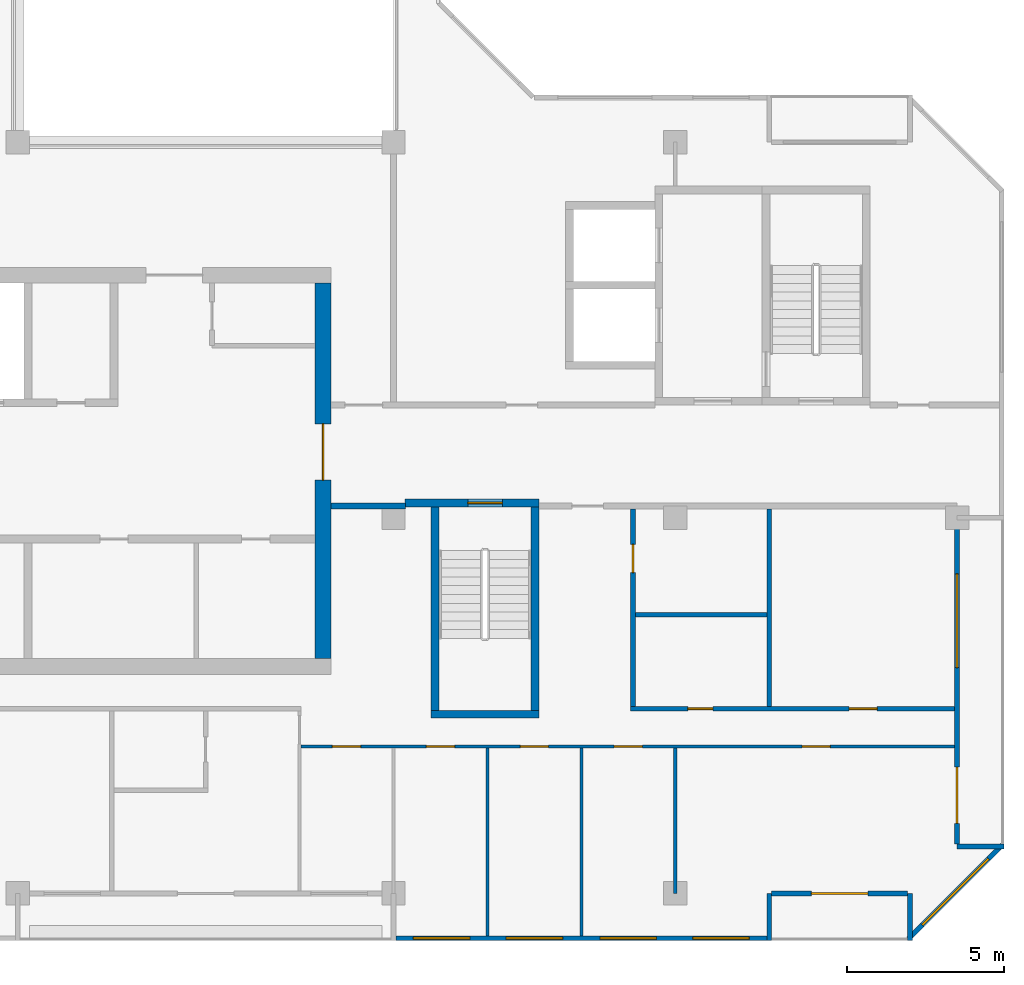
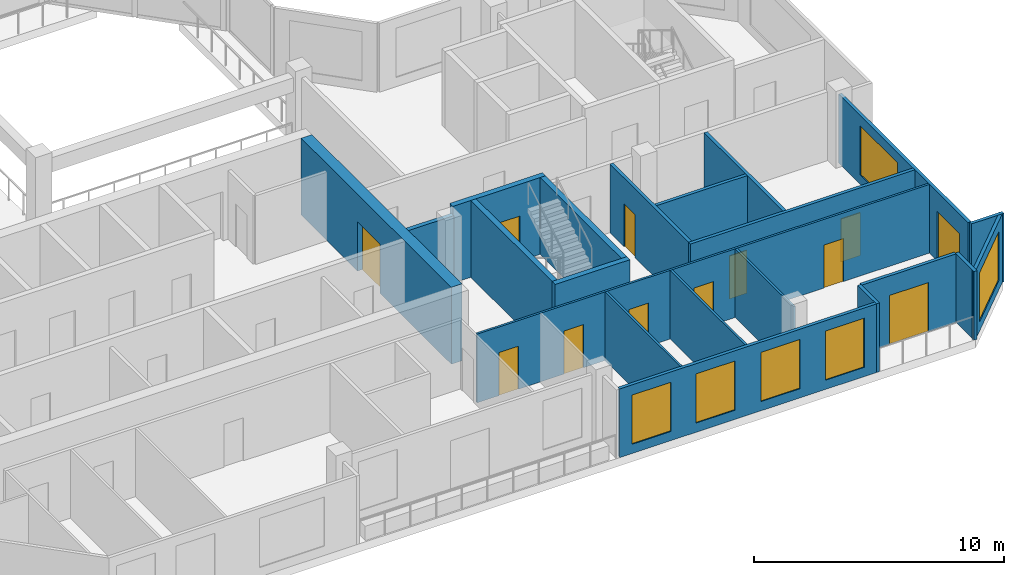
# One storey, part 6 of 12: 21 walls, 12 doors, 6 windows, 18 openings.
"""IFC4 building model written with IfcOpenShell, lengths in metres."""

from ifc_helpers import new_model, si_unit, direction, frame, frame_2d, origin, place, context, subcontext, project, spatial, rectangle, extrude, material, layer, layer_set, type_object, element, fill, save


model = new_model("IFC4")

# Units and contexts
model_context = context("Model", 3, precision=1e-05, world=origin(), true_north=direction((0.0, 1.0)))
body_context = subcontext(model_context, "Body", "Model", "MODEL_VIEW")
ifc_project = project(units=[si_unit("LENGTHUNIT", "METRE"), si_unit("AREAUNIT", "SQUARE_METRE"), si_unit("VOLUMEUNIT", "CUBIC_METRE"), si_unit("PLANEANGLEUNIT", "RADIAN"), si_unit("MASSUNIT", "GRAM", prefix="KILO")], contexts=[model_context])

# Site, building, storey
site_placement = place(None, origin())
site = spatial("IfcSite", under=ifc_project, at=site_placement, CompositionType="ELEMENT")
building_placement = place(site_placement, origin())
building = spatial("IfcBuilding", under=site, at=building_placement, Name="Chenar Terraces", CompositionType="ELEMENT")
storey_placement = place(building_placement, frame((0.0, 0.0, 357.64990234375)))
storey = spatial("IfcBuildingStorey", under=building, at=storey_placement, Name="L83", CompositionType="ELEMENT", Elevation=357.64990234375)

# Wall
ifc_material_1 = material(Name="Concrete C50/60", Category="concrete")
ifc_layer_1 = layer(ifc_material_1, 0.25)
ifc_layer_set_1 = layer_set([ifc_layer_1], Name="Concrete C50/60")
wall_type_1 = type_object("IfcWallType", Name="Core wall 250 Concrete C50/60", PredefinedType="SHEAR", material=ifc_layer_set_1)
wall_1_placement = place(storey_placement, frame((37.199951171875, 5.72509765625, 0.0), z_axis=(0.0, 0.0, 1.0), x_axis=(1.0, 0.0, 0.0)))
element("IfcWall", 1, at=wall_1_placement, inside=storey, type_object=wall_type_1, Name="Core wall ST2_S L83", PredefinedType="SHEAR", context=body_context, shape_type="SweptSolid", body=[
    extrude(rectangle(XDim=3.449951171875, YDim=0.25, at=frame_2d((1.72509765625, 0.0))), origin(), (0.0, 0.0, 1.0), 3.75),
])

# Wall, opening, door
wall_2_placement = place(storey_placement, frame((36.375, 12.47509765625, 0.0), z_axis=(0.0, 0.0, 1.0), x_axis=(1.0, 0.0, 0.0)))
wall_2 = element("IfcWall", 2, at=wall_2_placement, inside=storey, type_object=wall_type_1, Name="Core wall ST2_N L83", PredefinedType="SHEAR", context=body_context, shape_type="SweptSolid", body=[
    extrude(rectangle(XDim=4.27490234375, YDim=0.25, at=frame_2d((2.137451171875, 0.0))), origin(), (0.0, 0.0, 1.0), 3.75),
])
opening_1_placement = place(wall_2_placement, frame((2.0, 0.0, 0.0)))
opening_1 = element("IfcOpeningElement", 3, at=opening_1_placement, cuts=wall_2, Name="Opening DL83-C7", PredefinedType="OPENING", context=body_context, shape_type="SweptSolid", body=[
    extrude(rectangle(XDim=1.10009765625, YDim=2.199951171875, at=frame_2d((0.550048828125, 1.10009765625))), frame((0.0, 0.135009765625, 0.0), z_axis=(0.0, -1.0, 0.0), x_axis=(1.0, 0.0, 0.0)), (0.0, 0.0, 1.0), 0.27001953125),
])
ifc_material_2 = material(Name="Steel-framed fire-resisting door leaf", Category="steel")
door_type_1 = type_object("IfcDoorType", Name="Stair fire door FD60 1100 x 2200", OperationType="SINGLE_SWING_LEFT", PredefinedType="DOOR", material=ifc_material_2)
door_1_placement = place(opening_1_placement, frame((1.10009765625, 0.0, 0.0), z_axis=(0.0, 0.0, 1.0), x_axis=(-1.0, 0.0, 0.0)))
door_1 = element("IfcDoor", 4, at=door_1_placement, inside=storey, type_object=door_type_1, Name="Stair door DL83-C7", OperationType="SINGLE_SWING_LEFT", OverallHeight=2.199951171875, OverallWidth=1.10009765625, PredefinedType="DOOR", context=body_context, shape_type="SweptSolid", body=[
    extrude(rectangle(XDim=1.10009765625, YDim=2.199951171875, at=frame_2d((0.550048828125, 1.10009765625))), frame((0.0, 0.02490234375, 0.0), z_axis=(0.0, -1.0, 0.0), x_axis=(1.0, 0.0, 0.0)), (0.0, 0.0, 1.0), 0.050048828125),
])
fill(opening_1, door_1)

# Walls
for number, where, z_axis, x_axis, name in (
    (5, (37.324951171875, 5.85009765625, 0.0), (0.0, 0.0, 1.0), (0.0, 1.0, 0.0), "Core wall ST2_W L83"),
    (6, (40.52490234375, 5.85009765625, 0.0), (0.0, 0.0, 1.0), (0.0, 1.0, 0.0), "Core wall ST2_E L83"),
):
    element("IfcWall", number, at=place(storey_placement, frame(where, z_axis=z_axis, x_axis=x_axis)), inside=storey, type_object=wall_type_1, Name=name, PredefinedType="SHEAR", context=body_context, shape_type="SweptSolid", body=[
        extrude(rectangle(XDim=6.5, YDim=0.25, at=frame_2d((3.25, 0.0))), origin(), (0.0, 0.0, 1.0), 3.75),
    ])

# Wall, opening, door
ifc_material_3 = material(Name="Concrete C50/60", Category="concrete")
ifc_layer_2 = layer(ifc_material_3, 0.5)
ifc_layer_set_2 = layer_set([ifc_layer_2], Name="Concrete C50/60")
wall_type_2 = type_object("IfcWallType", Name="Core wall 500 Concrete C50/60", PredefinedType="SHEAR", material=ifc_layer_set_2)
wall_3_placement = place(storey_placement, frame((33.75, 7.5, 0.0), z_axis=(0.0, 0.0, 1.0), x_axis=(0.0, 1.0, 0.0)))
wall_3 = element("IfcWall", 7, at=wall_3_placement, inside=storey, type_object=wall_type_2, Name="Core wall E L83", PredefinedType="SHEAR", context=body_context, shape_type="SweptSolid", body=[
    extrude(rectangle(XDim=12.0, YDim=0.5, at=frame_2d((6.0, 0.0))), origin(), (0.0, 0.0, 1.0), 3.75),
])
opening_2_placement = place(wall_3_placement, frame((5.699951171875, 0.0, 0.0)))
opening_2 = element("IfcOpeningElement", 8, at=opening_2_placement, cuts=wall_3, Name="Opening DL83-C1", PredefinedType="OPENING", context=body_context, shape_type="SweptSolid", body=[
    extrude(rectangle(XDim=1.800048828125, YDim=2.39990234375, at=frame_2d((0.89990234375, 1.199951171875))), frame((0.0, 0.260009765625, 0.0), z_axis=(0.0, -1.0, 0.0), x_axis=(1.0, 0.0, 0.0)), (0.0, 0.0, 1.0), 0.52001953125),
])
ifc_material_4 = material(Name="Steel-framed fire-resisting door leaf", Category="steel")
door_type_2 = type_object("IfcDoorType", Name="Core entrance double fire door FD60 1800 x 2400", OperationType="DOUBLE_DOOR_SINGLE_SWING", PredefinedType="DOOR", material=ifc_material_4)
door_2_placement = place(opening_2_placement, origin())
door_2 = element("IfcDoor", 9, at=door_2_placement, inside=storey, type_object=door_type_2, Name="Core door DL83-C1", OperationType="DOUBLE_DOOR_SINGLE_SWING", OverallHeight=2.39990234375, OverallWidth=1.800048828125, PredefinedType="DOOR", context=body_context, shape_type="SweptSolid", body=[
    extrude(rectangle(XDim=1.800048828125, YDim=2.39990234375, at=frame_2d((0.89990234375, 1.199951171875))), frame((0.0, 0.02490234375, 0.0), z_axis=(0.0, -1.0, 0.0), x_axis=(1.0, 0.0, 0.0)), (0.0, 0.0, 1.0), 0.050048828125),
])
fill(opening_2, door_2)

# Wall
ifc_material_5 = material(Name="Gypsum board on steel studs with fire boards", Category="steel")
ifc_layer_3 = layer(ifc_material_5, 0.199951171875)
ifc_layer_set_3 = layer_set([ifc_layer_3], Name="Gypsum board on steel studs with fire boards")
wall_type_3 = type_object("IfcWallType", Name="Corridor wall 200", PredefinedType="PARTITIONING", material=ifc_layer_set_3)
wall_4_placement = place(storey_placement, frame((34.0, 12.375, 0.0), z_axis=(0.0, 0.0, 1.0), x_axis=(1.0, 0.0, 0.0)))
element("IfcWall", 10, at=wall_4_placement, inside=storey, type_object=wall_type_3, Name="Partition L83-052", PredefinedType="PARTITIONING", context=body_context, shape_type="SweptSolid", body=[
    extrude(rectangle(XDim=2.3759765625, YDim=0.199951171875, at=frame_2d((1.18798828125, 0.0))), origin(), (0.0, 0.0, 1.0), 3.35009765625),
])

# Wall, openings, windows
ifc_material_6 = material(Name="Aluminium framed glazing", Category="aluminium")
ifc_layer_4 = layer(ifc_material_6, 0.14990234375)
ifc_layer_set_4 = layer_set([ifc_layer_4], Name="Aluminium framed glazing")
wall_type_4 = type_object("IfcWallType", Name="Glazed flush facade wall 150", PredefinedType="SOLIDWALL", material=ifc_layer_set_4)
wall_5_placement = place(storey_placement, frame((36.074951171875, -1.425048828125, 0.0), z_axis=(0.0, 0.0, 1.0), x_axis=(1.0, 0.0, 0.0)))
wall_5 = element("IfcWall", 11, at=wall_5_placement, inside=storey, type_object=wall_type_4, Name="Glazed flush facade wall", PredefinedType="SOLIDWALL", context=body_context, shape_type="SweptSolid", body=[
    extrude(rectangle(XDim=11.85009765625, YDim=0.14990234375, at=frame_2d((5.925048828125, 0.0))), origin(), (0.0, 0.0, 1.0), 3.35009765625),
])
opening_3_placement = place(wall_5_placement, frame((0.5625, 0.0, 0.449951171875)))
opening_3 = element("IfcOpeningElement", 12, at=opening_3_placement, cuts=wall_5, Name="Opening W180x240", PredefinedType="OPENING", context=body_context, shape_type="SweptSolid", body=[
    extrude(rectangle(XDim=1.800048828125, YDim=2.39990234375, at=frame_2d((0.89990234375, 1.199951171875))), frame((0.0, 0.0849609375, 0.0), z_axis=(0.0, -1.0, 0.0), x_axis=(1.0, 0.0, 0.0)), (0.0, 0.0, 1.0), 0.169921875),
])
opening_4_placement = place(wall_5_placement, frame((3.52490234375, 0.0, 0.449951171875)))
opening_4 = element("IfcOpeningElement", 13, at=opening_4_placement, cuts=wall_5, Name="Opening W180x240", PredefinedType="OPENING", context=body_context, shape_type="SweptSolid", body=[
    extrude(rectangle(XDim=1.800048828125, YDim=2.39990234375, at=frame_2d((0.89990234375, 1.199951171875))), frame((0.0, 0.0849609375, 0.0), z_axis=(0.0, -1.0, 0.0), x_axis=(1.0, 0.0, 0.0)), (0.0, 0.0, 1.0), 0.169921875),
])
opening_5_placement = place(wall_5_placement, frame((6.52490234375, 0.0, 0.449951171875)))
opening_5 = element("IfcOpeningElement", 14, at=opening_5_placement, cuts=wall_5, Name="Opening W180x240", PredefinedType="OPENING", context=body_context, shape_type="SweptSolid", body=[
    extrude(rectangle(XDim=1.800048828125, YDim=2.39990234375, at=frame_2d((0.89990234375, 1.199951171875))), frame((0.0, 0.0849609375, 0.0), z_axis=(0.0, -1.0, 0.0), x_axis=(1.0, 0.0, 0.0)), (0.0, 0.0, 1.0), 0.169921875),
])
opening_6_placement = place(wall_5_placement, frame((9.487548828125, 0.0, 0.449951171875)))
opening_6 = element("IfcOpeningElement", 15, at=opening_6_placement, cuts=wall_5, Name="Opening W180x240", PredefinedType="OPENING", context=body_context, shape_type="SweptSolid", body=[
    extrude(rectangle(XDim=1.800048828125, YDim=2.39990234375, at=frame_2d((0.89990234375, 1.199951171875))), frame((0.0, 0.0849609375, 0.0), z_axis=(0.0, -1.0, 0.0), x_axis=(1.0, 0.0, 0.0)), (0.0, 0.0, 1.0), 0.169921875),
])
ifc_material_7 = material(Name="Low emissivity double glazing, aluminium frame", Category="aluminium")
window_type_1 = type_object("IfcWindowType", Name="Fixed light 1800 x 2400", PartitioningType="SINGLE_PANEL", PredefinedType="WINDOW", material=ifc_material_7)
window_1_placement = place(opening_3_placement, origin())
window_1 = element("IfcWindow", 16, at=window_1_placement, inside=storey, type_object=window_type_1, Name="Window", OverallHeight=2.39990234375, OverallWidth=1.800048828125, PartitioningType="SINGLE_PANEL", PredefinedType="WINDOW", context=body_context, shape_type="SweptSolid", body=[
    extrude(rectangle(XDim=1.800048828125, YDim=2.39990234375, at=frame_2d((0.89990234375, 1.199951171875))), frame((0.0, 0.030029296875, 0.0), z_axis=(0.0, -1.0, 0.0), x_axis=(1.0, 0.0, 0.0)), (0.0, 0.0, 1.0), 0.06005859375),
])
fill(opening_3, window_1)
window_2_placement = place(opening_4_placement, origin())
window_2 = element("IfcWindow", 17, at=window_2_placement, inside=storey, type_object=window_type_1, Name="Window", OverallHeight=2.39990234375, OverallWidth=1.800048828125, PartitioningType="SINGLE_PANEL", PredefinedType="WINDOW", context=body_context, shape_type="SweptSolid", body=[
    extrude(rectangle(XDim=1.800048828125, YDim=2.39990234375, at=frame_2d((0.89990234375, 1.199951171875))), frame((0.0, 0.030029296875, 0.0), z_axis=(0.0, -1.0, 0.0), x_axis=(1.0, 0.0, 0.0)), (0.0, 0.0, 1.0), 0.06005859375),
])
fill(opening_4, window_2)
window_3_placement = place(opening_5_placement, origin())
window_3 = element("IfcWindow", 18, at=window_3_placement, inside=storey, type_object=window_type_1, Name="Window", OverallHeight=2.39990234375, OverallWidth=1.800048828125, PartitioningType="SINGLE_PANEL", PredefinedType="WINDOW", context=body_context, shape_type="SweptSolid", body=[
    extrude(rectangle(XDim=1.800048828125, YDim=2.39990234375, at=frame_2d((0.89990234375, 1.199951171875))), frame((0.0, 0.030029296875, 0.0), z_axis=(0.0, -1.0, 0.0), x_axis=(1.0, 0.0, 0.0)), (0.0, 0.0, 1.0), 0.06005859375),
])
fill(opening_5, window_3)
window_4_placement = place(opening_6_placement, origin())
window_4 = element("IfcWindow", 19, at=window_4_placement, inside=storey, type_object=window_type_1, Name="Window", OverallHeight=2.39990234375, OverallWidth=1.800048828125, PartitioningType="SINGLE_PANEL", PredefinedType="WINDOW", context=body_context, shape_type="SweptSolid", body=[
    extrude(rectangle(XDim=1.800048828125, YDim=2.39990234375, at=frame_2d((0.89990234375, 1.199951171875))), frame((0.0, 0.030029296875, 0.0), z_axis=(0.0, -1.0, 0.0), x_axis=(1.0, 0.0, 0.0)), (0.0, 0.0, 1.0), 0.06005859375),
])
fill(opening_6, window_4)

# Wall, opening, door
ifc_material_8 = material(Name="Aluminium framed glazing", Category="aluminium")
ifc_layer_5 = layer(ifc_material_8, 0.14990234375)
ifc_layer_set_5 = layer_set([ifc_layer_5], Name="Aluminium framed glazing")
wall_type_5 = type_object("IfcWallType", Name="Glazed loggia back wall 150", PredefinedType="SOLIDWALL", material=ifc_layer_set_5)
wall_6_placement = place(storey_placement, frame((48.074951171875, 0.0, 0.0), z_axis=(0.0, 0.0, 1.0), x_axis=(1.0, 0.0, 0.0)))
wall_6 = element("IfcWall", 20, at=wall_6_placement, inside=storey, type_object=wall_type_5, Name="Glazed loggia back wall", PredefinedType="SOLIDWALL", context=body_context, shape_type="SweptSolid", body=[
    extrude(rectangle(XDim=4.35009765625, YDim=0.14990234375, at=frame_2d((2.175048828125, 0.0))), origin(), (0.0, 0.0, 1.0), 3.35009765625),
])
opening_7_placement = place(wall_6_placement, frame((1.27490234375, 0.0, 0.0)))
opening_7 = element("IfcOpeningElement", 21, at=opening_7_placement, cuts=wall_6, Name="Opening DL83-G5", PredefinedType="OPENING", context=body_context, shape_type="SweptSolid", body=[
    extrude(rectangle(XDim=1.800048828125, YDim=2.39990234375, at=frame_2d((0.89990234375, 1.199951171875))), frame((0.0, 0.0849609375, 0.0), z_axis=(0.0, -1.0, 0.0), x_axis=(1.0, 0.0, 0.0)), (0.0, 0.0, 1.0), 0.169921875),
])
ifc_material_9 = material(Name="Low emissivity double glazing, aluminium frame", Category="aluminium")
door_type_3 = type_object("IfcDoorType", Name="Loggia glazed double door 1800 x 2400", OperationType="DOUBLE_DOOR_SINGLE_SWING", PredefinedType="DOOR", material=ifc_material_9)
door_3_placement = place(opening_7_placement, frame((1.800048828125, 0.0, 0.0), z_axis=(0.0, 0.0, 1.0), x_axis=(-1.0, 0.0, 0.0)))
door_3 = element("IfcDoor", 22, at=door_3_placement, inside=storey, type_object=door_type_3, Name="Loggia glazed door", OperationType="DOUBLE_DOOR_SINGLE_SWING", OverallHeight=2.39990234375, OverallWidth=1.800048828125, PredefinedType="DOOR", context=body_context, shape_type="SweptSolid", body=[
    extrude(rectangle(XDim=1.800048828125, YDim=2.39990234375, at=frame_2d((0.89990234375, 1.199951171875))), frame((0.0, 0.02490234375, 0.0), z_axis=(0.0, -1.0, 0.0), x_axis=(1.0, 0.0, 0.0)), (0.0, 0.0, 1.0), 0.050048828125),
])
fill(opening_7, door_3)

# Wall, openings, window, door
wall_7_placement = place(storey_placement, frame((54.0, 1.574951171875, 0.0), z_axis=(0.0, 0.0, 1.0), x_axis=(0.0, 1.0, 0.0)))
wall_7 = element("IfcWall", 23, at=wall_7_placement, inside=storey, type_object=wall_type_5, Name="Glazed loggia back wall", PredefinedType="SOLIDWALL", context=body_context, shape_type="SweptSolid", body=[
    extrude(rectangle(XDim=10.35009765625, YDim=0.14990234375, at=frame_2d((5.175048828125, 0.0))), origin(), (0.0, 0.0, 1.0), 3.35009765625),
])
opening_8_placement = place(wall_7_placement, frame((0.66259765625, 0.0, 0.0)))
opening_8 = element("IfcOpeningElement", 24, at=opening_8_placement, cuts=wall_7, Name="Opening DL83-G6", PredefinedType="OPENING", context=body_context, shape_type="SweptSolid", body=[
    extrude(rectangle(XDim=1.800048828125, YDim=2.39990234375, at=frame_2d((0.89990234375, 1.199951171875))), frame((0.0, 0.0849609375, 0.0), z_axis=(0.0, -1.0, 0.0), x_axis=(1.0, 0.0, 0.0)), (0.0, 0.0, 1.0), 0.169921875),
])
opening_9_placement = place(wall_7_placement, frame((5.637451171875, 0.0, 0.449951171875)))
opening_9 = element("IfcOpeningElement", 25, at=opening_9_placement, cuts=wall_7, Name="Opening W300x240", PredefinedType="OPENING", context=body_context, shape_type="SweptSolid", body=[
    extrude(rectangle(XDim=3.0, YDim=2.39990234375, at=frame_2d((1.5, 1.199951171875))), frame((0.0, 0.0849609375, 0.0), z_axis=(0.0, -1.0, 0.0), x_axis=(1.0, 0.0, 0.0)), (0.0, 0.0, 1.0), 0.169921875),
])
ifc_material_10 = material(Name="Low emissivity double glazing, aluminium frame", Category="aluminium")
window_type_2 = type_object("IfcWindowType", Name="Fixed light 3000 x 2400", PartitioningType="SINGLE_PANEL", PredefinedType="WINDOW", material=ifc_material_10)
window_5_placement = place(opening_9_placement, origin())
window_5 = element("IfcWindow", 26, at=window_5_placement, inside=storey, type_object=window_type_2, Name="Window", OverallHeight=2.39990234375, OverallWidth=3.0, PartitioningType="SINGLE_PANEL", PredefinedType="WINDOW", context=body_context, shape_type="SweptSolid", body=[
    extrude(rectangle(XDim=3.0, YDim=2.39990234375, at=frame_2d((1.5, 1.199951171875))), frame((0.0, 0.030029296875, 0.0), z_axis=(0.0, -1.0, 0.0), x_axis=(1.0, 0.0, 0.0)), (0.0, 0.0, 1.0), 0.06005859375),
])
fill(opening_9, window_5)
door_4_placement = place(opening_8_placement, frame((1.800048828125, 0.0, 0.0), z_axis=(0.0, 0.0, 1.0), x_axis=(-1.0, 0.0, 0.0)))
door_4 = element("IfcDoor", 27, at=door_4_placement, inside=storey, type_object=door_type_3, Name="Loggia glazed door", OperationType="DOUBLE_DOOR_SINGLE_SWING", OverallHeight=2.39990234375, OverallWidth=1.800048828125, PredefinedType="DOOR", context=body_context, shape_type="SweptSolid", body=[
    extrude(rectangle(XDim=1.800048828125, YDim=2.39990234375, at=frame_2d((0.89990234375, 1.199951171875))), frame((0.0, 0.02490234375, 0.0), z_axis=(0.0, -1.0, 0.0), x_axis=(1.0, 0.0, 0.0)), (0.0, 0.0, 1.0), 0.050048828125),
])
fill(opening_8, door_4)

# Wall, openings, doors
ifc_material_11 = material(Name="Gypsum board on steel studs", Category="steel")
ifc_layer_6 = layer(ifc_material_11, 0.10009765625)
ifc_layer_set_6 = layer_set([ifc_layer_6], Name="Gypsum board on steel studs")
wall_type_6 = type_object("IfcWallType", Name="Gypsum partition 100", PredefinedType="PARTITIONING", material=ifc_layer_set_6)
wall_8_placement = place(storey_placement, frame((33.050048828125, 4.699951171875, 0.0), z_axis=(0.0, 0.0, 1.0), x_axis=(1.0, 0.0, 0.0)))
wall_8 = element("IfcWall", 28, at=wall_8_placement, inside=storey, type_object=wall_type_6, Name="Partition L83-051", PredefinedType="PARTITIONING", context=body_context, shape_type="SweptSolid", body=[
    extrude(rectangle(XDim=20.8759765625, YDim=0.10009765625, at=frame_2d((10.43798828125, 0.0))), origin(), (0.0, 0.0, 1.0), 3.35009765625),
])
opening_10_placement = place(wall_8_placement, frame((1.0, 0.0, 0.0)))
opening_10 = element("IfcOpeningElement", 29, at=opening_10_placement, cuts=wall_8, Name="Opening DL83-26", PredefinedType="OPENING", context=body_context, shape_type="SweptSolid", body=[
    extrude(rectangle(XDim=0.89990234375, YDim=2.10009765625, at=frame_2d((0.449951171875, 1.050048828125))), frame((0.0, 0.06005859375, 0.0), z_axis=(0.0, -1.0, 0.0), x_axis=(1.0, 0.0, 0.0)), (0.0, 0.0, 1.0), 0.1201171875),
])
opening_11_placement = place(wall_8_placement, frame((4.0, 0.0, 0.0)))
opening_11 = element("IfcOpeningElement", 30, at=opening_11_placement, cuts=wall_8, Name="Opening DL83-27", PredefinedType="OPENING", context=body_context, shape_type="SweptSolid", body=[
    extrude(rectangle(XDim=0.89990234375, YDim=2.10009765625, at=frame_2d((0.449951171875, 1.050048828125))), frame((0.0, 0.06005859375, 0.0), z_axis=(0.0, -1.0, 0.0), x_axis=(1.0, 0.0, 0.0)), (0.0, 0.0, 1.0), 0.1201171875),
])
opening_12_placement = place(wall_8_placement, frame((7.0, 0.0, 0.0)))
opening_12 = element("IfcOpeningElement", 31, at=opening_12_placement, cuts=wall_8, Name="Opening DL83-28", PredefinedType="OPENING", context=body_context, shape_type="SweptSolid", body=[
    extrude(rectangle(XDim=0.89990234375, YDim=2.10009765625, at=frame_2d((0.449951171875, 1.050048828125))), frame((0.0, 0.06005859375, 0.0), z_axis=(0.0, -1.0, 0.0), x_axis=(1.0, 0.0, 0.0)), (0.0, 0.0, 1.0), 0.1201171875),
])
opening_13_placement = place(wall_8_placement, frame((10.0, 0.0, 0.0)))
opening_13 = element("IfcOpeningElement", 32, at=opening_13_placement, cuts=wall_8, Name="Opening DL83-29", PredefinedType="OPENING", context=body_context, shape_type="SweptSolid", body=[
    extrude(rectangle(XDim=0.89990234375, YDim=2.10009765625, at=frame_2d((0.449951171875, 1.050048828125))), frame((0.0, 0.06005859375, 0.0), z_axis=(0.0, -1.0, 0.0), x_axis=(1.0, 0.0, 0.0)), (0.0, 0.0, 1.0), 0.1201171875),
])
opening_14_placement = place(wall_8_placement, frame((16.0, 0.0, 0.0)))
opening_14 = element("IfcOpeningElement", 33, at=opening_14_placement, cuts=wall_8, Name="Opening DL83-38", PredefinedType="OPENING", context=body_context, shape_type="SweptSolid", body=[
    extrude(rectangle(XDim=0.89990234375, YDim=2.10009765625, at=frame_2d((0.449951171875, 1.050048828125))), frame((0.0, 0.06005859375, 0.0), z_axis=(0.0, -1.0, 0.0), x_axis=(1.0, 0.0, 0.0)), (0.0, 0.0, 1.0), 0.1201171875),
])
ifc_material_12 = material(Name="Veneered timber door leaf", Category="wood")
door_type_4 = type_object("IfcDoorType", Name="Door 900 x 2100", OperationType="SINGLE_SWING_LEFT", PredefinedType="DOOR", material=ifc_material_12)
door_5_placement = place(opening_10_placement, frame((0.89990234375, 0.0, 0.0), z_axis=(0.0, 0.0, 1.0), x_axis=(-1.0, 0.0, 0.0)))
door_5 = element("IfcDoor", 34, at=door_5_placement, inside=storey, type_object=door_type_4, Name="Door DL83-26", OperationType="SINGLE_SWING_LEFT", OverallHeight=2.10009765625, OverallWidth=0.89990234375, PredefinedType="DOOR", context=body_context, shape_type="SweptSolid", body=[
    extrude(rectangle(XDim=0.89990234375, YDim=2.10009765625, at=frame_2d((0.449951171875, 1.050048828125))), frame((0.0, 0.02490234375, 0.0), z_axis=(0.0, -1.0, 0.0), x_axis=(1.0, 0.0, 0.0)), (0.0, 0.0, 1.0), 0.050048828125),
])
fill(opening_10, door_5)
door_6_placement = place(opening_11_placement, frame((0.89990234375, 0.0, 0.0), z_axis=(0.0, 0.0, 1.0), x_axis=(-1.0, 0.0, 0.0)))
door_6 = element("IfcDoor", 35, at=door_6_placement, inside=storey, type_object=door_type_4, Name="Door DL83-27", OperationType="SINGLE_SWING_LEFT", OverallHeight=2.10009765625, OverallWidth=0.89990234375, PredefinedType="DOOR", context=body_context, shape_type="SweptSolid", body=[
    extrude(rectangle(XDim=0.89990234375, YDim=2.10009765625, at=frame_2d((0.449951171875, 1.050048828125))), frame((0.0, 0.02490234375, 0.0), z_axis=(0.0, -1.0, 0.0), x_axis=(1.0, 0.0, 0.0)), (0.0, 0.0, 1.0), 0.050048828125),
])
fill(opening_11, door_6)
door_7_placement = place(opening_12_placement, frame((0.89990234375, 0.0, 0.0), z_axis=(0.0, 0.0, 1.0), x_axis=(-1.0, 0.0, 0.0)))
door_7 = element("IfcDoor", 36, at=door_7_placement, inside=storey, type_object=door_type_4, Name="Door DL83-28", OperationType="SINGLE_SWING_LEFT", OverallHeight=2.10009765625, OverallWidth=0.89990234375, PredefinedType="DOOR", context=body_context, shape_type="SweptSolid", body=[
    extrude(rectangle(XDim=0.89990234375, YDim=2.10009765625, at=frame_2d((0.449951171875, 1.050048828125))), frame((0.0, 0.02490234375, 0.0), z_axis=(0.0, -1.0, 0.0), x_axis=(1.0, 0.0, 0.0)), (0.0, 0.0, 1.0), 0.050048828125),
])
fill(opening_12, door_7)
door_8_placement = place(opening_13_placement, frame((0.89990234375, 0.0, 0.0), z_axis=(0.0, 0.0, 1.0), x_axis=(-1.0, 0.0, 0.0)))
door_8 = element("IfcDoor", 37, at=door_8_placement, inside=storey, type_object=door_type_4, Name="Door DL83-29", OperationType="SINGLE_SWING_LEFT", OverallHeight=2.10009765625, OverallWidth=0.89990234375, PredefinedType="DOOR", context=body_context, shape_type="SweptSolid", body=[
    extrude(rectangle(XDim=0.89990234375, YDim=2.10009765625, at=frame_2d((0.449951171875, 1.050048828125))), frame((0.0, 0.02490234375, 0.0), z_axis=(0.0, -1.0, 0.0), x_axis=(1.0, 0.0, 0.0)), (0.0, 0.0, 1.0), 0.050048828125),
])
fill(opening_13, door_8)
door_9_placement = place(opening_14_placement, frame((0.89990234375, 0.0, 0.0), z_axis=(0.0, 0.0, 1.0), x_axis=(-1.0, 0.0, 0.0)))
door_9 = element("IfcDoor", 38, at=door_9_placement, inside=storey, type_object=door_type_4, Name="Door DL83-38", OperationType="SINGLE_SWING_LEFT", OverallHeight=2.10009765625, OverallWidth=0.89990234375, PredefinedType="DOOR", context=body_context, shape_type="SweptSolid", body=[
    extrude(rectangle(XDim=0.89990234375, YDim=2.10009765625, at=frame_2d((0.449951171875, 1.050048828125))), frame((0.0, 0.02490234375, 0.0), z_axis=(0.0, -1.0, 0.0), x_axis=(1.0, 0.0, 0.0)), (0.0, 0.0, 1.0), 0.050048828125),
])
fill(opening_14, door_9)

# Walls
for number, where, z_axis, x_axis, name in (
    (39, (39.0, -1.35107421875, 0.0), (0.0, 0.0, 1.0), (0.0, 1.0, 0.0), "Partition L83-056"),
    (40, (42.0, -1.35107421875, 0.0), (0.0, 0.0, 1.0), (0.0, 1.0, 0.0), "Partition L83-058"),
):
    element("IfcWall", number, at=place(storey_placement, frame(where, z_axis=z_axis, x_axis=x_axis)), inside=storey, type_object=wall_type_6, Name=name, PredefinedType="PARTITIONING", context=body_context, shape_type="SweptSolid", body=[
        extrude(rectangle(XDim=6.0009765625, YDim=0.10009765625, at=frame_2d((3.00048828125, 0.0))), origin(), (0.0, 0.0, 1.0), 3.35009765625),
    ])
wall_9_placement = place(storey_placement, frame((45.0, 0.0, 0.0), z_axis=(0.0, 0.0, 1.0), x_axis=(0.0, 1.0, 0.0)))
element("IfcWall", 41, at=wall_9_placement, inside=storey, type_object=wall_type_6, Name="Partition L83-062", PredefinedType="PARTITIONING", context=body_context, shape_type="SweptSolid", body=[
    extrude(rectangle(XDim=4.64990234375, YDim=0.10009765625, at=frame_2d((2.324951171875, 0.0))), origin(), (0.0, 0.0, 1.0), 3.35009765625),
])
ifc_material_13 = material(Name="Terracotta cladding on insulated backing", Category="masonry")
ifc_layer_7 = layer(ifc_material_13, 0.14990234375)
ifc_layer_set_7 = layer_set([ifc_layer_7], Name="Terracotta cladding on insulated backing")
wall_type_7 = type_object("IfcWallType", Name="Loggia return wall 150", PredefinedType="SOLIDWALL", material=ifc_layer_set_7)
for number, where, z_axis, x_axis, name in (
    (42, (48.0, -1.5, 0.0), (0.0, 0.0, 1.0), (0.0, 1.0, 0.0), "Loggia return wall"),
    (43, (52.5, -1.5, 0.0), (0.0, 0.0, 1.0), (0.0, 1.0, 0.0), "Loggia return wall"),
    (44, (55.5, 1.5, 0.0), (0.0, 0.0, 1.0), (-1.0, 0.0, 0.0), "Loggia return wall"),
):
    element("IfcWall", number, at=place(storey_placement, frame(where, z_axis=z_axis, x_axis=x_axis)), inside=storey, type_object=wall_type_7, Name=name, PredefinedType="SOLIDWALL", context=body_context, shape_type="SweptSolid", body=[
        extrude(rectangle(XDim=1.5, YDim=0.14990234375, at=frame_2d((0.75, 0.0))), origin(), (0.0, 0.0, 1.0), 3.35009765625),
    ])

# Wall, opening, window
ifc_material_14 = material(Name="Terracotta cladding on insulated backing", Category="masonry")
ifc_layer_8 = layer(ifc_material_14, 0.14990234375)
ifc_layer_set_8 = layer_set([ifc_layer_8], Name="Terracotta cladding on insulated backing")
wall_type_8 = type_object("IfcWallType", Name="Terracotta rainscreen wall 150", PredefinedType="SOLIDWALL", material=ifc_layer_set_8)
wall_10_placement = place(storey_placement, frame((52.447021484375, -1.447021484375, 0.0), z_axis=(0.0, 0.0, 1.0), x_axis=(0.707106781187, 0.707106781187, 0.0)))
wall_10 = element("IfcWall", 45, at=wall_10_placement, inside=storey, type_object=wall_type_8, Name="Terracotta rainscreen wall", PredefinedType="SOLIDWALL", context=body_context, shape_type="SweptSolid", body=[
    extrude(rectangle(XDim=4.24267578125, YDim=0.14990234375, at=frame_2d((2.121337890625, 0.0))), origin(), (0.0, 0.0, 1.0), 3.35009765625),
])
opening_15_placement = place(wall_10_placement, frame((0.621337890625, 0.0, 0.449951171875)))
opening_15 = element("IfcOpeningElement", 46, at=opening_15_placement, cuts=wall_10, Name="Opening W300x240", PredefinedType="OPENING", context=body_context, shape_type="SweptSolid", body=[
    extrude(rectangle(XDim=3.0, YDim=2.39990234375, at=frame_2d((1.5, 1.199951171875))), frame((0.0, 0.0849609375, 0.0), z_axis=(0.0, -1.0, 0.0), x_axis=(1.0, 0.0, 0.0)), (0.0, 0.0, 1.0), 0.169921875),
])
window_6_placement = place(opening_15_placement, origin())
window_6 = element("IfcWindow", 47, at=window_6_placement, inside=storey, type_object=window_type_2, Name="Window", OverallHeight=2.39990234375, OverallWidth=3.0, PartitioningType="SINGLE_PANEL", PredefinedType="WINDOW", context=body_context, shape_type="SweptSolid", body=[
    extrude(rectangle(XDim=3.0, YDim=2.39990234375, at=frame_2d((1.5, 1.199951171875))), frame((0.0, 0.030029296875, 0.0), z_axis=(0.0, -1.0, 0.0), x_axis=(1.0, 0.0, 0.0)), (0.0, 0.0, 1.0), 0.06005859375),
])
fill(opening_15, window_6)

# Wall, openings, doors
ifc_material_15 = material(Name="Moisture-resistant gypsum board on steel studs", Category="steel")
ifc_layer_9 = layer(ifc_material_15, 0.14990234375)
ifc_layer_set_9 = layer_set([ifc_layer_9], Name="Moisture-resistant gypsum board on steel studs")
wall_type_9 = type_object("IfcWallType", Name="Wet-room partition 150", PredefinedType="PARTITIONING", material=ifc_layer_set_9)
wall_11_placement = place(storey_placement, frame((43.574951171875, 5.89990234375, 0.0), z_axis=(0.0, 0.0, 1.0), x_axis=(1.0, 0.0, 0.0)))
wall_11 = element("IfcWall", 48, at=wall_11_placement, inside=storey, type_object=wall_type_9, Name="Partition L83-059", PredefinedType="PARTITIONING", context=body_context, shape_type="SweptSolid", body=[
    extrude(rectangle(XDim=10.35107421875, YDim=0.14990234375, at=frame_2d((5.175537109375, 0.0))), origin(), (0.0, 0.0, 1.0), 3.35009765625),
])
opening_16_placement = place(wall_11_placement, frame((1.824951171875, 0.0, 0.0)))
opening_16 = element("IfcOpeningElement", 49, at=opening_16_placement, cuts=wall_11, Name="Opening DL83-23", PredefinedType="OPENING", context=body_context, shape_type="SweptSolid", body=[
    extrude(rectangle(XDim=0.800048828125, YDim=2.10009765625, at=frame_2d((0.39990234375, 1.050048828125))), frame((0.0, 0.0849609375, 0.0), z_axis=(0.0, -1.0, 0.0), x_axis=(1.0, 0.0, 0.0)), (0.0, 0.0, 1.0), 0.169921875),
])
opening_17_placement = place(wall_11_placement, frame((6.97509765625, 0.0, 0.0)))
opening_17 = element("IfcOpeningElement", 50, at=opening_17_placement, cuts=wall_11, Name="Opening DL83-33", PredefinedType="OPENING", context=body_context, shape_type="SweptSolid", body=[
    extrude(rectangle(XDim=0.89990234375, YDim=2.10009765625, at=frame_2d((0.449951171875, 1.050048828125))), frame((0.0, 0.0849609375, 0.0), z_axis=(0.0, -1.0, 0.0), x_axis=(1.0, 0.0, 0.0)), (0.0, 0.0, 1.0), 0.169921875),
])
ifc_material_16 = material(Name="Veneered timber door leaf", Category="wood")
door_type_5 = type_object("IfcDoorType", Name="Door 800 x 2100", OperationType="SINGLE_SWING_LEFT", PredefinedType="DOOR", material=ifc_material_16)
door_10_placement = place(opening_16_placement, origin())
door_10 = element("IfcDoor", 51, at=door_10_placement, inside=storey, type_object=door_type_5, Name="Door DL83-23", OperationType="SINGLE_SWING_RIGHT", OverallHeight=2.10009765625, OverallWidth=0.800048828125, PredefinedType="DOOR", context=body_context, shape_type="SweptSolid", body=[
    extrude(rectangle(XDim=0.800048828125, YDim=2.10009765625, at=frame_2d((0.39990234375, 1.050048828125))), frame((0.0, 0.02490234375, 0.0), z_axis=(0.0, -1.0, 0.0), x_axis=(1.0, 0.0, 0.0)), (0.0, 0.0, 1.0), 0.050048828125),
])
fill(opening_16, door_10)
door_11_placement = place(opening_17_placement, origin())
door_11 = element("IfcDoor", 52, at=door_11_placement, inside=storey, type_object=door_type_4, Name="Door DL83-33", OperationType="SINGLE_SWING_RIGHT", OverallHeight=2.10009765625, OverallWidth=0.89990234375, PredefinedType="DOOR", context=body_context, shape_type="SweptSolid", body=[
    extrude(rectangle(XDim=0.89990234375, YDim=2.10009765625, at=frame_2d((0.449951171875, 1.050048828125))), frame((0.0, 0.02490234375, 0.0), z_axis=(0.0, -1.0, 0.0), x_axis=(1.0, 0.0, 0.0)), (0.0, 0.0, 1.0), 0.050048828125),
])
fill(opening_17, door_11)

# Wall, opening, door
wall_12_placement = place(storey_placement, frame((43.64990234375, 5.97509765625, 0.0), z_axis=(0.0, 0.0, 1.0), x_axis=(0.0, 1.0, 0.0)))
wall_12 = element("IfcWall", 53, at=wall_12_placement, inside=storey, type_object=wall_type_9, Name="Partition L83-060", PredefinedType="PARTITIONING", context=body_context, shape_type="SweptSolid", body=[
    extrude(rectangle(XDim=6.2998046875, YDim=0.14990234375, at=frame_2d((3.14990234375, 0.0))), origin(), (0.0, 0.0, 1.0), 3.35009765625),
])
opening_18_placement = place(wall_12_placement, frame((4.27490234375, 0.0, 0.0)))
opening_18 = element("IfcOpeningElement", 54, at=opening_18_placement, cuts=wall_12, Name="Opening DL83-36", PredefinedType="OPENING", context=body_context, shape_type="SweptSolid", body=[
    extrude(rectangle(XDim=0.89990234375, YDim=2.10009765625, at=frame_2d((0.449951171875, 1.050048828125))), frame((0.0, 0.0849609375, 0.0), z_axis=(0.0, -1.0, 0.0), x_axis=(1.0, 0.0, 0.0)), (0.0, 0.0, 1.0), 0.169921875),
])
door_12_placement = place(opening_18_placement, frame((0.89990234375, 0.0, 0.0), z_axis=(0.0, 0.0, 1.0), x_axis=(-1.0, 0.0, 0.0)))
door_12 = element("IfcDoor", 55, at=door_12_placement, inside=storey, type_object=door_type_4, Name="Door DL83-36", OperationType="SINGLE_SWING_LEFT", OverallHeight=2.10009765625, OverallWidth=0.89990234375, PredefinedType="DOOR", context=body_context, shape_type="SweptSolid", body=[
    extrude(rectangle(XDim=0.89990234375, YDim=2.10009765625, at=frame_2d((0.449951171875, 1.050048828125))), frame((0.0, 0.02490234375, 0.0), z_axis=(0.0, -1.0, 0.0), x_axis=(1.0, 0.0, 0.0)), (0.0, 0.0, 1.0), 0.050048828125),
])
fill(opening_18, door_12)

# Walls
wall_13_placement = place(storey_placement, frame((43.72509765625, 8.89990234375, 0.0), z_axis=(0.0, 0.0, 1.0), x_axis=(1.0, 0.0, 0.0)))
element("IfcWall", 56, at=wall_13_placement, inside=storey, type_object=wall_type_9, Name="Partition L83-061", PredefinedType="PARTITIONING", context=body_context, shape_type="SweptSolid", body=[
    extrude(rectangle(XDim=4.199951171875, YDim=0.14990234375, at=frame_2d((2.10009765625, 0.0))), origin(), (0.0, 0.0, 1.0), 3.35009765625),
])
wall_14_placement = place(storey_placement, frame((48.0, 5.97509765625, 0.0), z_axis=(0.0, 0.0, 1.0), x_axis=(0.0, 1.0, 0.0)))
element("IfcWall", 57, at=wall_14_placement, inside=storey, type_object=wall_type_9, Name="Partition L83-064", PredefinedType="PARTITIONING", context=body_context, shape_type="SweptSolid", body=[
    extrude(rectangle(XDim=6.2998046875, YDim=0.14990234375, at=frame_2d((3.14990234375, 0.0))), origin(), (0.0, 0.0, 1.0), 3.35009765625),
])

save(model, "model.ifc")
